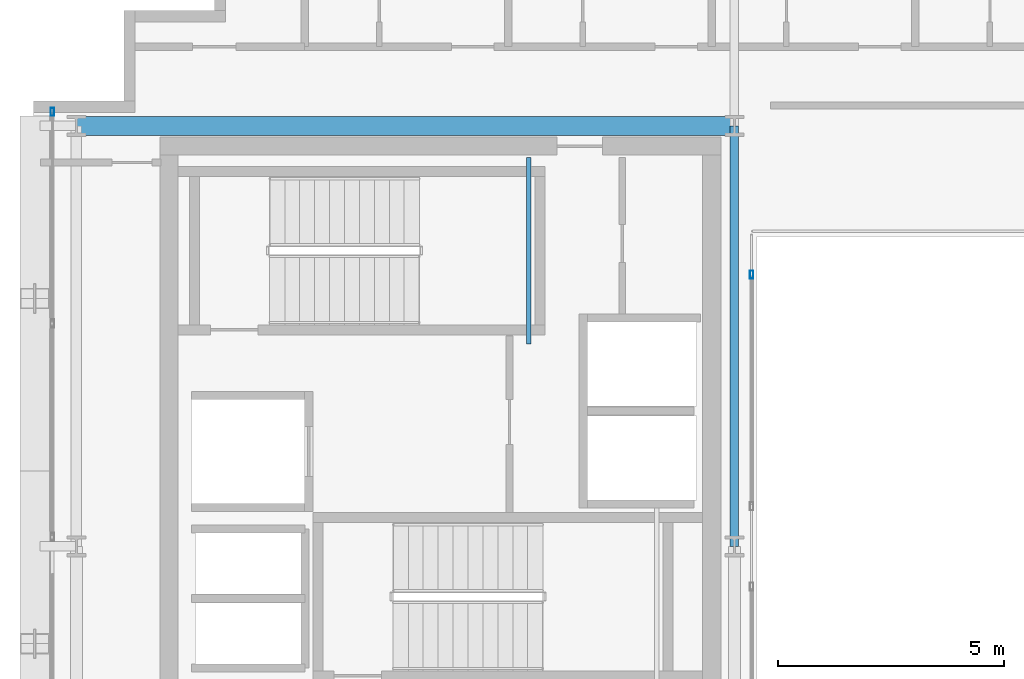
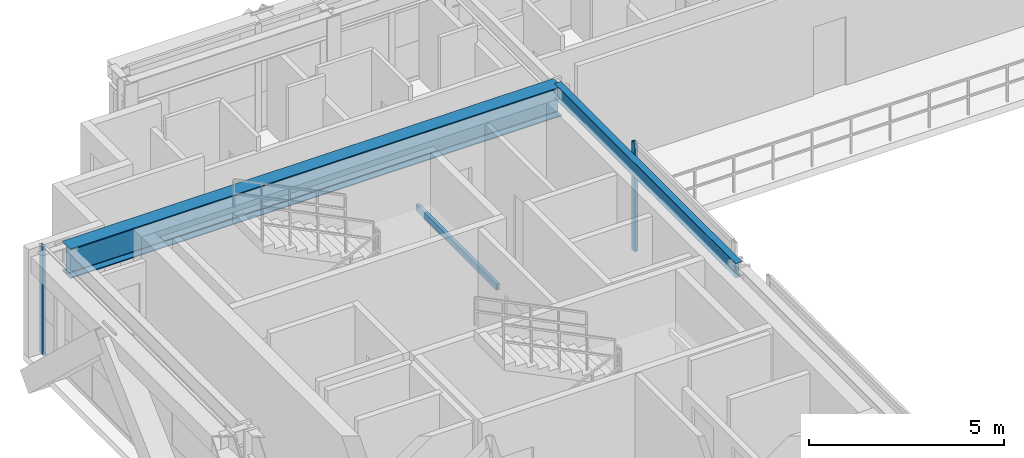
# One storey, part 8 of 29: 3 beams, 2 members, 2 elements without a shape of their own.
"""IFC4 building model written with IfcOpenShell, lengths in metres."""

import ifcopenshell
import ifcopenshell.guid

model = None  # the IFC model being written
_history = None  # IfcOwnerHistory: only IFC2X3 demands one
_inside = {}  # id of a spatial element -> (the spatial element, [elements in it])
_under = {}  # id of a project, library or spatial element -> (it, [spatial elements below it])
_declared = {}  # id of a project -> (the project, [libraries it declares])
_typed = {}  # id of a type object -> (the type object, [elements of that type])
_made_of = {}  # id of a material, layer set ... -> (it, [elements and type objects made of it])


def new_model(schema):
    """Start an empty IFC model of exactly this schema.

    Asked for "IFC4X3", IfcOpenShell would pick the latest addendum, in which some entities
    have other attributes; the version numbers below select the first issue.
    IFC2X3 requires an IfcOwnerHistory on every rooted entity: one is made here for all.
    """
    global model, _history
    if schema == "IFC4X3":
        model = ifcopenshell.file(schema_version=(4, 3, 0, 0))
    else:
        model = ifcopenshell.file(schema=schema)
    _inside.clear()
    _under.clear()
    _declared.clear()
    _typed.clear()
    _made_of.clear()
    _history = None
    if model.schema == "IFC2X3":
        org = make("IfcOrganization", Name="unknown")
        user = make(
            "IfcPersonAndOrganization",
            ThePerson=make("IfcPerson", FamilyName="unknown"),
            TheOrganization=org,
        )
        app = make(
            "IfcApplication",
            ApplicationDeveloper=org,
            Version="unknown",
            ApplicationFullName="unknown",
            ApplicationIdentifier="unknown",
        )
        _history = make(
            "IfcOwnerHistory",
            OwningUser=user,
            OwningApplication=app,
            ChangeAction="ADDED",
            CreationDate=0,
        )
    return model


def make(cls, **values):
    """One entity of the class cls with the attributes given. An attribute that is None is left unset."""
    return model.create_entity(
        cls, **{name: value for name, value in values.items() if value is not None}
    )


def rooted(cls, **values):
    """An entity with a GlobalId (a new one), such as an element, a storey or a relation."""
    return make(cls, GlobalId=ifcopenshell.guid.new(), OwnerHistory=_history, **values)


def si_unit(unit_type, name, prefix=None):
    """IfcSIUnit, for example si_unit("LENGTHUNIT", "METRE", prefix="MILLI")."""
    return make("IfcSIUnit", UnitType=unit_type, Prefix=prefix, Name=name)


def assignment(units):
    """IfcUnitAssignment: the units of a project."""
    return None if units is None else make("IfcUnitAssignment", Units=units)


def point(xyz):
    """IfcCartesianPoint."""
    return None if xyz is None else make("IfcCartesianPoint", Coordinates=xyz)


def direction(xyz):
    """IfcDirection."""
    return None if xyz is None else make("IfcDirection", DirectionRatios=xyz)


def frame(location, z_axis=None, x_axis=None):
    """IfcAxis2Placement3D, a coordinate frame: its origin and axes. An axis left out is left unset."""
    return make(
        "IfcAxis2Placement3D",
        Location=point(location),
        Axis=direction(z_axis),
        RefDirection=direction(x_axis),
    )


def frame_2d(location, x_axis=None):
    """IfcAxis2Placement2D, a coordinate frame in the plane: its origin and x axis."""
    return make(
        "IfcAxis2Placement2D", Location=point(location), RefDirection=direction(x_axis)
    )


def origin():
    """The frame at (0, 0, 0) with its axes left unset."""
    return frame((0.0, 0.0, 0.0))


def origin_2d():
    """The frame at (0, 0) in the plane with its x axis left unset."""
    return frame_2d((0.0, 0.0))


def place(relative_to, where):
    """IfcLocalPlacement: puts the frame where relative to a parent placement (None: the world)."""
    return make(
        "IfcLocalPlacement", PlacementRelTo=relative_to, RelativePlacement=where
    )


def context(
    kind, dimensions, precision=None, world=None, true_north=None, identifier=None
):
    """IfcGeometricRepresentationContext, for example the 3D "Model" context."""
    return make(
        "IfcGeometricRepresentationContext",
        ContextIdentifier=identifier,
        ContextType=kind,
        CoordinateSpaceDimension=dimensions,
        Precision=precision,
        WorldCoordinateSystem=world,
        TrueNorth=true_north,
    )


def subcontext(parent, identifier, kind, view, scale=None):
    """IfcGeometricRepresentationSubContext, for example "Body" below "Model"."""
    return make(
        "IfcGeometricRepresentationSubContext",
        ContextIdentifier=identifier,
        ContextType=kind,
        ParentContext=parent,
        TargetScale=scale,
        TargetView=view,
    )


def project(units=None, contexts=None):
    """IfcProject with its units and contexts."""
    return rooted(
        "IfcProject",
        Name="project",
        RepresentationContexts=contexts,
        UnitsInContext=assignment(units),
    )


def spatial(cls, under=None, at=None, **own):
    """A site, building, storey or space (cls), placed at a placement, below another one or the project."""
    s = rooted(cls, ObjectPlacement=at, **own)
    if under is not None:
        _under.setdefault(under.id(), (under, []))[1].append(s)
    return s


def profile(cls, at=None, kind="AREA", **sizes):
    """A parametric profile (cls). Its sizes go by their IFC names, for example OverallWidth=200.0."""
    return make(cls, ProfileType=kind, Position=at, **sizes)


def hollow_rectangle(**sizes):
    """IfcRectangleHollowProfileDef."""
    return profile("IfcRectangleHollowProfileDef", **sizes)


def i_section(**sizes):
    """IfcIShapeProfileDef."""
    return profile("IfcIShapeProfileDef", **sizes)


def extrude(swept, where, along, depth):
    """IfcExtrudedAreaSolid: the profile swept, set in the frame where, extruded along a direction by depth."""
    return make(
        "IfcExtrudedAreaSolid",
        SweptArea=swept,
        Position=where,
        ExtrudedDirection=direction(along),
        Depth=depth,
    )


def shape(context_of_items, identifier, shape_type, items):
    """IfcShapeRepresentation: the items that make up one representation, for example the "Body"."""
    return make(
        "IfcShapeRepresentation",
        ContextOfItems=context_of_items,
        RepresentationIdentifier=identifier,
        RepresentationType=shape_type,
        Items=items,
    )


def source(mapping_origin, context_of_items, identifier, shape_type, items):
    """IfcRepresentationMap: a shape defined once, which mapped items show again and again."""
    return make(
        "IfcRepresentationMap",
        MappingOrigin=mapping_origin,
        MappedRepresentation=shape(context_of_items, identifier, shape_type, items),
    )


def transform(
    local_origin,
    x_axis=None,
    y_axis=None,
    z_axis=None,
    scale=None,
    scale2=None,
    scale3=None,
    uniform=True,
):
    """IfcCartesianTransformationOperator3D, or its non-uniform kind. x_axis, y_axis, z_axis: its Axis1, 2, 3."""
    if uniform:
        return make(
            "IfcCartesianTransformationOperator3D",
            Axis1=direction(x_axis),
            Axis2=direction(y_axis),
            LocalOrigin=point(local_origin),
            Scale=scale,
            Axis3=direction(z_axis),
        )
    return make(
        "IfcCartesianTransformationOperator3DnonUniform",
        Axis1=direction(x_axis),
        Axis2=direction(y_axis),
        LocalOrigin=point(local_origin),
        Scale=scale,
        Axis3=direction(z_axis),
        Scale2=scale2,
        Scale3=scale3,
    )


def mapped(mapping_source, mapping_target):
    """IfcMappedItem: shows the shape of a source again, moved by a transform."""
    return make(
        "IfcMappedItem", MappingSource=mapping_source, MappingTarget=mapping_target
    )


def material(Name=None, Category=None):
    """IfcMaterial."""
    return make("IfcMaterial", Name=Name, Category=Category)


def layer(
    of_material, thickness, ventilated=None, Name=None, Category=None, Priority=None
):
    """IfcMaterialLayer: one layer of a wall or slab, of a material (None: an air gap)."""
    return make(
        "IfcMaterialLayer",
        Material=of_material,
        LayerThickness=thickness,
        IsVentilated=ventilated,
        Name=Name,
        Category=Category,
        Priority=Priority,
    )


def layer_set(layers, Name=None):
    """IfcMaterialLayerSet."""
    return make("IfcMaterialLayerSet", MaterialLayers=layers, LayerSetName=Name)


def material_profile(
    of_material, cross_section, Name=None, Category=None, Priority=None
):
    """IfcMaterialProfile: a cross section and its material."""
    return make(
        "IfcMaterialProfile",
        Name=Name,
        Material=of_material,
        Profile=cross_section,
        Priority=Priority,
        Category=Category,
    )


def profile_set(profiles, Name=None, composite=None):
    """IfcMaterialProfileSet."""
    return make(
        "IfcMaterialProfileSet",
        Name=Name,
        MaterialProfiles=profiles,
        CompositeProfile=composite,
    )


def made_of(thing, what):
    """Note that an element or type object is made of a material, layer set ...; save() writes the relation."""
    if what is not None:
        _made_of.setdefault(what.id(), (what, []))[1].append(thing)
    return thing


def type_object(cls, material=None, **own):
    """A type object (cls), such as IfcWallType, which elements share."""
    return made_of(rooted(cls, **own), material)


def element(
    cls,
    number,
    at=None,
    inside=None,
    cuts=None,
    type_object=None,
    material=None,
    context=None,
    identifier="Body",
    shape_type=None,
    held_by="IfcProductDefinitionShape",
    body=None,
    shapes=None,
    **own,
):
    """One element of the class cls, such as IfcWall. Its Tag is "e" and its number.

    at: its placement. inside: the storey or other place that contains it. cuts: it is an
    opening in that element (IfcRelVoidsElement). A single representation is given by context,
    identifier, shape_type and body (its items); several are given by shapes. held_by: the class
    of the entity that holds the representations. save() writes the other relations.
    """
    e = rooted(cls, Tag="e%d" % number, ObjectPlacement=at, **own)
    if body is not None:
        shapes = [shape(context, identifier, shape_type, body)]
    if shapes is not None:
        e.Representation = make(held_by, Representations=shapes)
    if inside is not None:
        _inside.setdefault(inside.id(), (inside, []))[1].append(e)
    if cuts is not None:
        rooted(
            "IfcRelVoidsElement", RelatingBuildingElement=cuts, RelatedOpeningElement=e
        )
    if type_object is not None:
        _typed.setdefault(type_object.id(), (type_object, []))[1].append(e)
    return made_of(e, material)


def aggregate(whole, parts):
    """IfcRelAggregates: a whole, such as a stair, and the parts it consists of."""
    return rooted("IfcRelAggregates", RelatingObject=whole, RelatedObjects=parts)


def save(model, path):
    """Write the relations noted so far, then the file.

    IfcRelAggregates (storeys below a building ...), IfcRelContainedInSpatialStructure (elements
    in a storey), IfcRelDefinesByType, IfcRelAssociatesMaterial and IfcRelDeclares: one each for
    every whole, place, type object, material and project.
    """
    for whole, parts in _under.values():
        aggregate(whole, parts)
    for where, things in _inside.values():
        rooted(
            "IfcRelContainedInSpatialStructure",
            RelatedElements=things,
            RelatingStructure=where,
        )
    for kind, things in _typed.values():
        rooted("IfcRelDefinesByType", RelatedObjects=things, RelatingType=kind)
    for what, things in _made_of.values():
        rooted("IfcRelAssociatesMaterial", RelatedObjects=things, RelatingMaterial=what)
    for by, libraries in _declared.values():
        rooted("IfcRelDeclares", RelatingContext=by, RelatedDefinitions=libraries)
    model.write(path)


model = new_model("IFC4")

# Units and contexts
model_context = context("Model", 3, precision=1e-05, world=origin(), true_north=direction((0.0, 1.0)))
body_context = subcontext(model_context, "Body", "Model", "MODEL_VIEW")
ifc_project = project(units=[si_unit("LENGTHUNIT", "METRE"), si_unit("AREAUNIT", "SQUARE_METRE"), si_unit("VOLUMEUNIT", "CUBIC_METRE"), si_unit("PLANEANGLEUNIT", "RADIAN"), si_unit("MASSUNIT", "GRAM", prefix="KILO")], contexts=[model_context])

# Site, building, storey
site_placement = place(None, origin())
site = spatial("IfcSite", under=ifc_project, at=site_placement, CompositionType="ELEMENT")
building_placement = place(site_placement, origin())
building = spatial("IfcBuilding", under=site, at=building_placement, Name="Ocotamira Hotel", CompositionType="ELEMENT")
storey_placement = place(building_placement, frame((0.0, 0.0, 236.39990234375)))
storey = spatial("IfcBuildingStorey", under=building, at=storey_placement, Name="L59", CompositionType="ELEMENT", Elevation=236.39990234375)

# Beams
ifc_material_1 = material(Name="Steel ASTM A500 Grade C", Category="steel")
ifc_material_profile_1 = material_profile(ifc_material_1, hollow_rectangle(XDim=0.10009765625, YDim=0.199951171875, WallThickness=0.008056640625, at=origin_2d()), Name="HSS200X100X8")
ifc_profile_set_1 = profile_set([ifc_material_profile_1], Name="Steel ASTM A500 Grade C")
beam_type_1 = type_object("IfcBeamType", Name="BM-STLDG-HSS200", PredefinedType="BEAM", material=ifc_profile_set_1)
shared_shape_1 = source(origin(), body_context, "Body", "SweptSolid", [
    extrude(hollow_rectangle(XDim=0.10009765625, YDim=0.199951171875, WallThickness=0.008056640625, at=origin_2d()), origin(), (0.0, 0.0, 1.0), 4.1201171875),
])
beam_1_placement = place(storey_placement, frame((18.949951171875, 32.6298828125, 1.5), z_axis=(0.0, 1.0, 0.0), x_axis=(-1.0, 0.0, 0.0)))
element("IfcBeam", 1, at=beam_1_placement, inside=storey, type_object=beam_type_1, Name="L59 Stair ST-2 Landing Bearer 1", PredefinedType="BEAM", context=body_context, shape_type="MappedRepresentation", body=[
    mapped(shared_shape_1, transform((0.0, 0.0, 0.0), scale=1.0)),
])
ifc_material_2 = material(Name="Steel ASTM A992 Grade 50", Category="steel")
ifc_material_profile_2 = material_profile(ifc_material_2, i_section(OverallWidth=0.41796875, OverallDepth=0.927001953125, WebThickness=0.019287109375, FlangeThickness=0.031982421875, FilletRadius=0.02392578125, at=origin_2d()), Name="W36X231")
ifc_profile_set_2 = profile_set([ifc_material_profile_2], Name="Steel ASTM A992 Grade 50")
beam_type_2 = type_object("IfcBeamType", Name="BM-GIRD-W36X231", PredefinedType="BEAM", material=ifc_profile_set_2)
shared_shape_2 = source(origin(), body_context, "Body", "SweptSolid", [
    extrude(i_section(OverallWidth=0.41796875, OverallDepth=0.927001953125, WebThickness=0.019287109375, FlangeThickness=0.031982421875, FilletRadius=0.02392578125, at=origin_2d()), origin(), (0.0, 0.0, 1.0), 14.550048828125),
])
beam_2_placement = place(storey_placement, frame((8.949951171875, 37.449951171875, 2.91650390625), z_axis=(1.0, 0.0, 0.0), x_axis=(0.0, 1.0, 0.0)))
element("IfcBeam", 2, at=beam_2_placement, inside=storey, type_object=beam_type_2, Name="L59 Girder Y37.45 X8.95-23.5", PredefinedType="BEAM", context=body_context, shape_type="MappedRepresentation", body=[
    mapped(shared_shape_2, transform((0.0, 0.0, 0.0), scale=1.0)),
])
ifc_material_profile_3 = material_profile(ifc_material_2, i_section(OverallWidth=0.18994140625, OverallDepth=0.45703125, WebThickness=0.009033203125, FlangeThickness=0.014404296875, FilletRadius=0.010009765625, at=origin_2d()), Name="W18X50")
ifc_profile_set_3 = profile_set([ifc_material_profile_3], Name="Steel ASTM A992 Grade 50")
beam_type_3 = type_object("IfcBeamType", Name="BM-SEC-W18X50", PredefinedType="JOIST", material=ifc_profile_set_3)
shared_shape_3 = source(origin(), body_context, "Body", "SweptSolid", [
    extrude(i_section(OverallWidth=0.18994140625, OverallDepth=0.45703125, WebThickness=0.009033203125, FlangeThickness=0.014404296875, FilletRadius=0.010009765625, at=origin_2d()), origin(), (0.0, 0.0, 1.0), 9.300048828125),
])
beam_3_placement = place(storey_placement, frame((23.5, 28.14990234375, 3.151611328125), z_axis=(0.0, 1.0, 0.0), x_axis=(-1.0, 0.0, 0.0)))
element("IfcBeam", 3, at=beam_3_placement, inside=storey, type_object=beam_type_3, Name="L59 Beam X23.5 Y28.15-37.45", PredefinedType="JOIST", context=body_context, shape_type="MappedRepresentation", body=[
    mapped(shared_shape_3, transform((0.0, 0.0, 0.0), scale=1.0)),
])

# Curtain wall, member
ifc_material_3 = material(Name="Anodised pale-metal aluminium and solar glass", Category="aluminium")
ifc_layer_1 = layer(ifc_material_3, 0.239990234375)
ifc_layer_set_1 = layer_set([ifc_layer_1], Name="Anodised pale-metal aluminium and solar glass")
curtain_wall_type_1 = type_object("IfcCurtainWallType", Name="CW-SYS5-SKY", PredefinedType="NOTDEFINED", material=ifc_layer_set_1)
curtain_wall_1_placement = place(storey_placement, origin())
curtain_wall_1 = element("IfcCurtainWall", 4, at=curtain_wall_1_placement, inside=storey, type_object=curtain_wall_type_1, Name="L59 Curtain Wall CW-5 CW-L59-W", PredefinedType="NOTDEFINED")
ifc_material_4 = material(Name="Anodised pale-metal aluminium 6063-T6", Category="aluminium")
ifc_material_profile_4 = material_profile(ifc_material_4, hollow_rectangle(XDim=0.080078125, YDim=0.179931640625, WallThickness=0.006103515625, at=origin_2d()), Name="HSS180X80X6")
ifc_profile_set_4 = profile_set([ifc_material_profile_4], Name="Anodised pale-metal aluminium 6063-T6")
member_type = type_object("IfcMemberType", Name="CWM-180X75", PredefinedType="MULLION", material=ifc_profile_set_4)
shared_shape_4 = source(origin(), body_context, "Body", "SweptSolid", [
    extrude(hollow_rectangle(XDim=0.080078125, YDim=0.179931640625, WallThickness=0.006103515625, at=origin_2d()), origin(), (0.0, 0.0, 1.0), 3.380126953125),
])
member_1_placement = place(storey_placement, frame((8.419921875, 37.760009765625, 0.0), z_axis=(0.0, 0.0, 1.0), x_axis=(-1.0, 0.0, 0.0)))
member_1 = element("IfcMember", 5, at=member_1_placement, type_object=member_type, Name="CW-5 mullion 6", PredefinedType="MULLION", context=body_context, shape_type="MappedRepresentation", body=[
    mapped(shared_shape_4, transform((0.0, 0.0, 0.0), scale=1.0)),
])
aggregate(curtain_wall_1, [member_1])

ifc_layer_2 = layer(ifc_material_3, 0.159912109375)
ifc_layer_set_2 = layer_set([ifc_layer_2], Name="Anodised pale-metal aluminium and solar glass")
curtain_wall_type_2 = type_object("IfcCurtainWallType", Name="CW-SYS6-ATR", PredefinedType="NOTDEFINED", material=ifc_layer_set_2)
curtain_wall_2_placement = place(storey_placement, origin())
curtain_wall_2 = element("IfcCurtainWall", 6, at=curtain_wall_2_placement, inside=storey, type_object=curtain_wall_type_2, Name="L59 Curtain Wall CW-6 CW-L59-ATRW2", PredefinedType="NOTDEFINED")
member_2_placement = place(storey_placement, frame((23.8798828125, 34.159912109375, 0.0), z_axis=(0.0, 0.0, 1.0), x_axis=(-1.0, 0.0, 0.0)))
member_2 = element("IfcMember", 7, at=member_2_placement, type_object=member_type, Name="CW-6 mullion 2", PredefinedType="MULLION", context=body_context, shape_type="MappedRepresentation", body=[
    mapped(shared_shape_4, transform((0.0, 0.0, 0.0), scale=1.0)),
])
aggregate(curtain_wall_2, [member_2])

save(model, "model.ifc")
